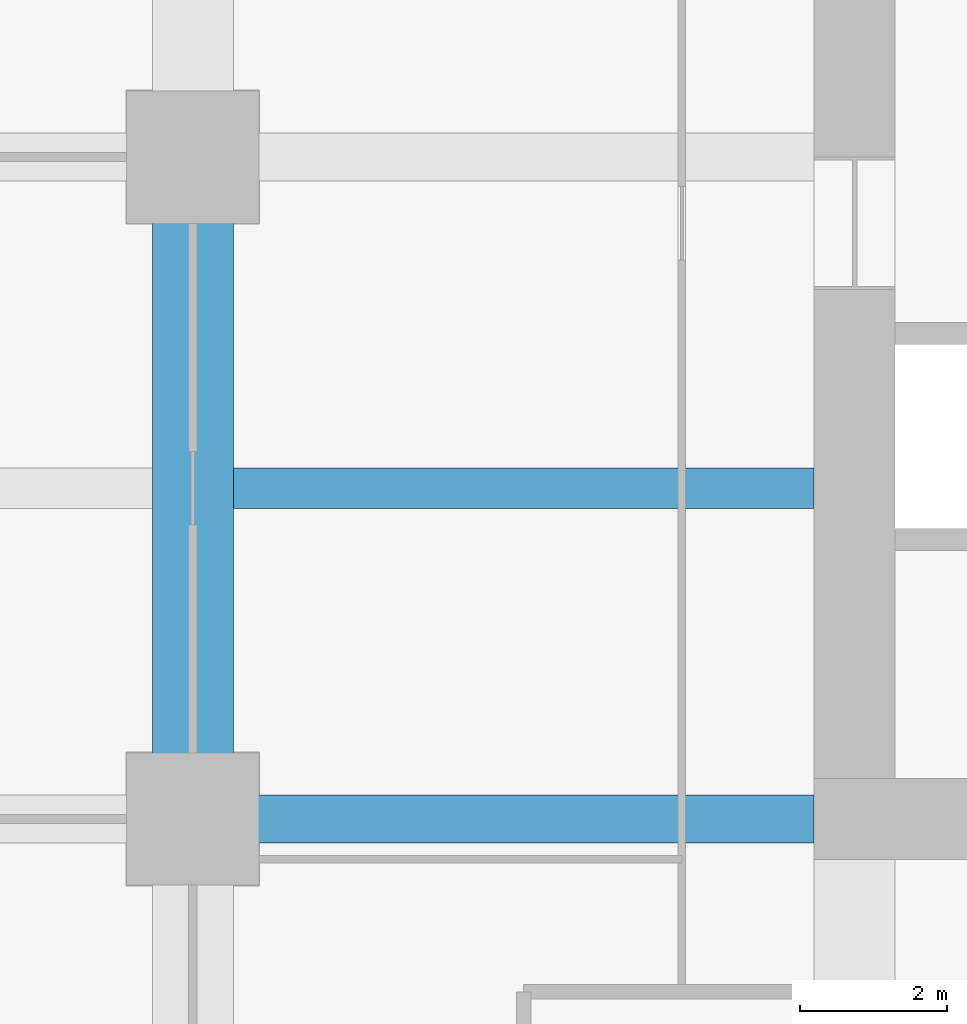
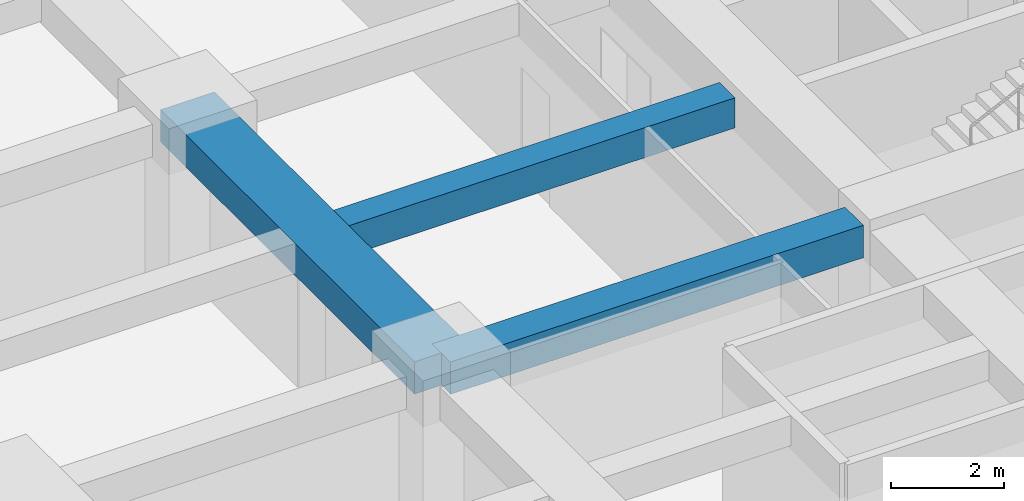
# One storey, part 10 of 40: 3 beams.
"""IFC4 building model written with IfcOpenShell, lengths in metres."""

from ifc_helpers import new_model, si_unit, direction, frame, origin, origin_2d, place, context, subcontext, project, spatial, rectangle, extrude, material, material_profile, profile_set, type_object, element, save


model = new_model("IFC4")

# Units and contexts
model_context = context("Model", 3, precision=1e-05, world=origin(), true_north=direction((0.0, 1.0)))
body_context = subcontext(model_context, "Body", "Model", "MODEL_VIEW")
ifc_project = project(units=[si_unit("LENGTHUNIT", "METRE"), si_unit("AREAUNIT", "SQUARE_METRE"), si_unit("VOLUMEUNIT", "CUBIC_METRE"), si_unit("PLANEANGLEUNIT", "RADIAN"), si_unit("MASSUNIT", "GRAM", prefix="KILO")], contexts=[model_context])

# Site, building, storey
site_placement = place(None, origin())
site = spatial("IfcSite", under=ifc_project, at=site_placement, CompositionType="ELEMENT")
building_placement = place(site_placement, origin())
building = spatial("IfcBuilding", under=site, at=building_placement, Name="Zorevar Civic Tower", CompositionType="ELEMENT")
storey_placement = place(building_placement, frame((0.0, 0.0, 133.0)))
storey = spatial("IfcBuildingStorey", under=building, at=storey_placement, Name="L32", CompositionType="ELEMENT", Elevation=133.0)

# Beams
ifc_material_1 = material(Name="Concrete C50/60", Category="concrete")
ifc_material_profile_1 = material_profile(ifc_material_1, rectangle(XDim=1.10009765625, YDim=0.699951171875, at=origin_2d()), Name="RC 1100x700")
ifc_profile_set_1 = profile_set([ifc_material_profile_1], Name="Concrete C50/60")
beam_type_1 = type_object("IfcBeamType", Name="Beam RC 1100x700", PredefinedType="BEAM", material=ifc_profile_set_1)
beam_1_placement = place(storey_placement, frame((9.0, 18.0, 3.39990234375), z_axis=(0.0, 1.0, 0.0), x_axis=(-1.0, 0.0, 0.0)))
element("IfcBeam", 1, at=beam_1_placement, inside=storey, type_object=beam_type_1, Name="Girder L33", PredefinedType="BEAM", context=body_context, shape_type="SweptSolid", body=[
    extrude(rectangle(XDim=1.10009765625, YDim=0.699951171875, at=origin_2d()), origin(), (0.0, 0.0, 1.0), 9.0),
])
ifc_material_2 = material(Name="Concrete C50/60", Category="concrete")
ifc_material_profile_2 = material_profile(ifc_material_2, rectangle(XDim=0.550048828125, YDim=0.64990234375, at=origin_2d()), Name="RC 550x650")
ifc_profile_set_2 = profile_set([ifc_material_profile_2], Name="Concrete C50/60")
beam_type_2 = type_object("IfcBeamType", Name="Beam RC 550x650", PredefinedType="BEAM", material=ifc_profile_set_2)
beam_2_placement = place(storey_placement, frame((9.550048828125, 22.5, 3.425048828125), z_axis=(1.0, 0.0, 0.0), x_axis=(0.0, 1.0, 0.0)))
element("IfcBeam", 2, at=beam_2_placement, inside=storey, type_object=beam_type_2, Name="Secondary beam L33", PredefinedType="BEAM", context=body_context, shape_type="SweptSolid", body=[
    extrude(rectangle(XDim=0.550048828125, YDim=0.64990234375, at=origin_2d()), origin(), (0.0, 0.0, 1.0), 7.89990234375),
])
ifc_material_3 = material(Name="Concrete C50/60", Category="concrete")
ifc_material_profile_3 = material_profile(ifc_material_3, rectangle(XDim=0.64990234375, YDim=0.699951171875, at=origin_2d()), Name="RC 650x700")
ifc_profile_set_3 = profile_set([ifc_material_profile_3], Name="Concrete C50/60")
beam_type_3 = type_object("IfcBeamType", Name="Beam RC 650x700", PredefinedType="BEAM", material=ifc_profile_set_3)
beam_3_placement = place(storey_placement, frame((9.0, 18.0, 3.39990234375), z_axis=(1.0, 0.0, 0.0), x_axis=(0.0, 1.0, 0.0)))
element("IfcBeam", 3, at=beam_3_placement, inside=storey, type_object=beam_type_3, Name="Girder L33", PredefinedType="BEAM", context=body_context, shape_type="SweptSolid", body=[
    extrude(rectangle(XDim=0.64990234375, YDim=0.699951171875, at=origin_2d()), origin(), (0.0, 0.0, 1.0), 8.449951171875),
])

save(model, "model.ifc")
